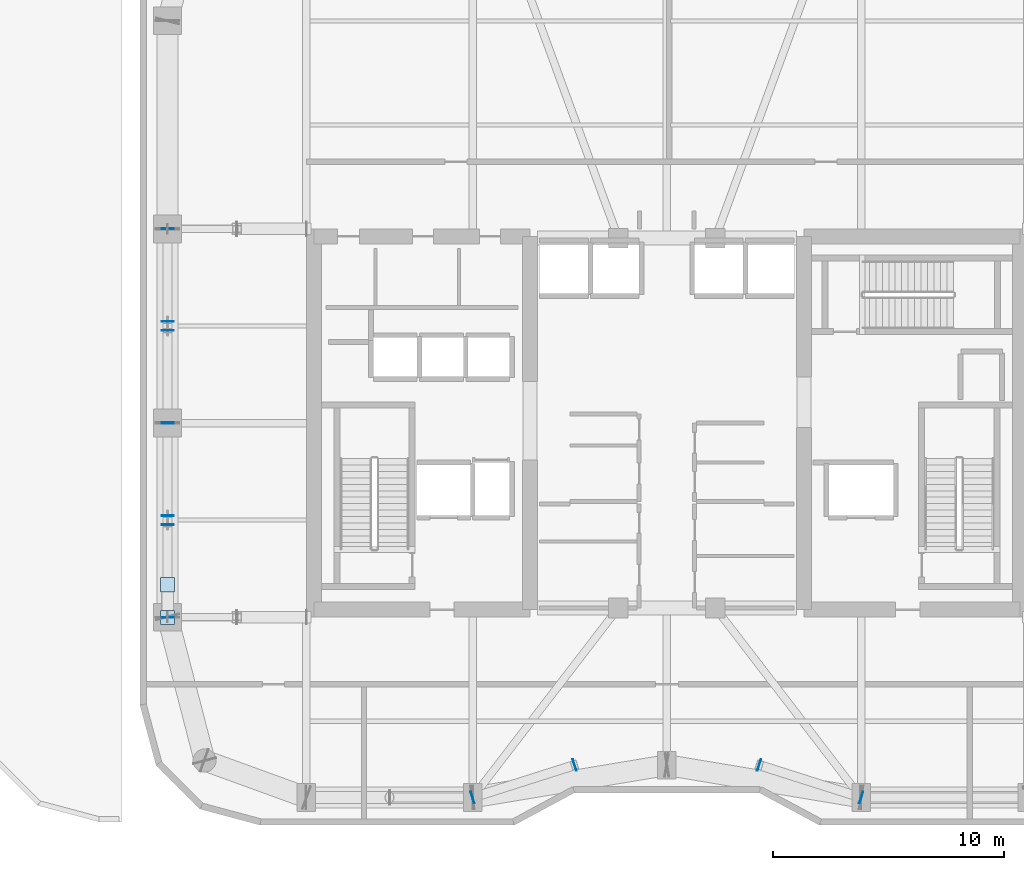
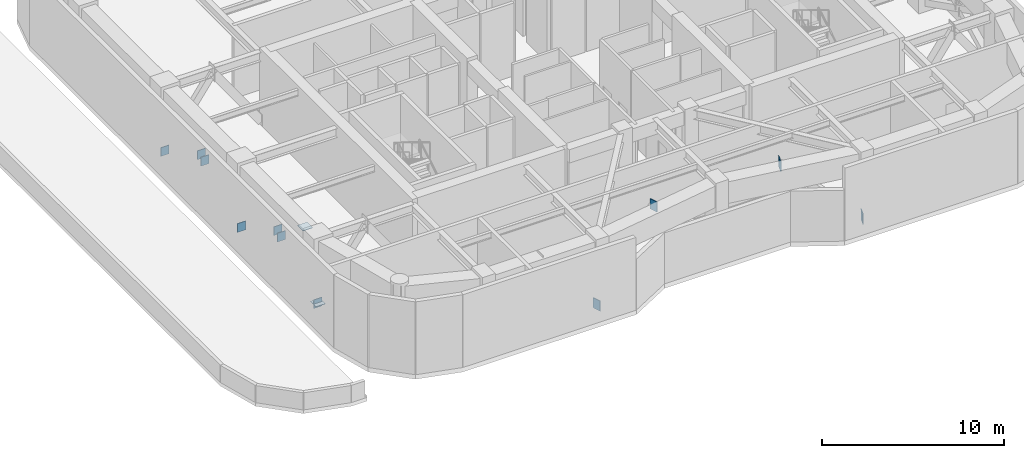
# One storey, part 9 of 16: 14 plates.
"""IFC4 building model written with IfcOpenShell, lengths in metres."""

from ifc_helpers import new_model, si_unit, direction, frame, origin, origin_2d, place, context, subcontext, project, spatial, rectangle, extrude, material, layer, layer_set, type_object, element, save


model = new_model("IFC4")

# Units and contexts
model_context = context("Model", 3, precision=1e-05, world=origin(), true_north=direction((0.0, 1.0)))
body_context = subcontext(model_context, "Body", "Model", "MODEL_VIEW")
ifc_project = project(units=[si_unit("LENGTHUNIT", "METRE"), si_unit("AREAUNIT", "SQUARE_METRE"), si_unit("VOLUMEUNIT", "CUBIC_METRE"), si_unit("PLANEANGLEUNIT", "RADIAN"), si_unit("MASSUNIT", "GRAM", prefix="KILO")], contexts=[model_context])

# Site, building, storey
site_placement = place(None, origin())
site = spatial("IfcSite", under=ifc_project, at=site_placement, CompositionType="ELEMENT")
building_placement = place(site_placement, origin())
building = spatial("IfcBuilding", under=site, at=building_placement, Name="Kiyonajd Concourse Tower", CompositionType="ELEMENT")
storey_placement = place(building_placement, frame((0.0, 0.0, 209.699951171875)))
storey = spatial("IfcBuildingStorey", under=building, at=storey_placement, Name="L53", CompositionType="ELEMENT", Elevation=209.699951171875)

# Plates
ifc_material = material(Name="Steel ASTM A572 Grade 50", Category="steel")
ifc_layer_1 = layer(ifc_material, 0.028076171875)
ifc_layer_set_1 = layer_set([ifc_layer_1], Name="Steel ASTM A572 Grade 50")
plate_type_1 = type_object("IfcPlateType", Name="PL-CAP-450", PredefinedType="USERDEFINED", material=ifc_layer_set_1)
for number, where, z_axis, x_axis, name in (
    (1, (26.39990234375, 27.596435546875, 0.275390625), (0.0, 0.0, 1.0), (1.0, 0.0, 0.0), "L53 Hollow Brace End Cap Plate PBW"),
    (2, (26.39990234375, 29.00341796875, 4.5263671875), (0.0, 0.0, 1.0), (1.0, 0.0, 0.0), "L53 Hollow Brace Top Cap Plate PBW"),
):
    element("IfcPlate", number, at=place(storey_placement, frame(where, z_axis=z_axis, x_axis=x_axis)), inside=storey, type_object=plate_type_1, Name=name, ObjectType="CAP PLATE", PredefinedType="USERDEFINED", context=body_context, shape_type="SweptSolid", body=[
        extrude(rectangle(XDim=0.60791015625, YDim=0.60791015625, at=origin_2d()), origin(), (0.0, 0.0, 1.0), 0.028076171875),
    ])
ifc_layer_2 = layer(ifc_material, 0.031982421875)
ifc_layer_set_2 = layer_set([ifc_layer_2], Name="Steel ASTM A572 Grade 50")
plate_type_2 = type_object("IfcPlateType", Name="PL-CAP-540", PredefinedType="USERDEFINED", material=ifc_layer_set_2)
for number, where, z_axis, x_axis, name in (
    (3, (39.59228515625, 19.797607421875, -0.04833984375), (0.0, 0.0, 1.0), (-0.952926437371, -0.303201591289, 0.0), "L53 Outrigger End Cap Plate 10"),
    (4, (44.0078125, 21.202392578125, 4.1962890625), (0.0, 0.0, 1.0), (0.952926437371, 0.303201591289, 0.0), "L53 Outrigger Far End Cap Plate 10"),
    (5, (51.9921875, 21.202392578125, 4.1962890625), (0.0, 0.0, 1.0), (-0.952926437371, 0.303201591289, 0.0), "L53 Outrigger End Cap Plate 11"),
    (6, (56.40771484375, 19.797607421875, -0.04833984375), (0.0, 0.0, 1.0), (0.952926437371, -0.303201591289, 0.0), "L53 Outrigger Far End Cap Plate 11"),
):
    element("IfcPlate", number, at=place(storey_placement, frame(where, z_axis=z_axis, x_axis=x_axis)), inside=storey, type_object=plate_type_2, Name=name, ObjectType="CAP PLATE", PredefinedType="USERDEFINED", context=body_context, shape_type="SweptSolid", body=[
        extrude(rectangle(XDim=0.035888671875, YDim=0.52001953125, at=origin_2d()), origin(), (0.0, 0.0, 1.0), 0.681884765625),
    ])
for number, where, z_axis, x_axis, name in (
    (7, (26.39990234375, 36.009765625, 0.001220703125), (0.0, 0.0, 1.0), (0.0, 1.0, 0.0), "L53 X Brace Far End Cap W1"),
    (8, (26.39990234375, 27.590087890625, 0.001220703125), (0.0, 0.0, 1.0), (0.0, -1.0, 0.0), "L53 Split X Brace Outer Cap W1"),
    (9, (26.39990234375, 31.6044921875, 2.022705078125), (0.0, 0.0, 1.0), (0.0, 1.0, 0.0), "L53 Split X Brace Node Collar W1"),
    (10, (26.39990234375, 31.99560546875, 2.219482421875), (0.0, 0.0, 1.0), (0.0, -1.0, 0.0), "L53 Split X Brace Node Collar W1"),
    (11, (26.39990234375, 44.409912109375, 0.001220703125), (0.0, 0.0, 1.0), (0.0, 1.0, 0.0), "L53 X Brace Far End Cap W2"),
    (12, (26.39990234375, 35.990234375, 0.001220703125), (0.0, 0.0, 1.0), (0.0, -1.0, 0.0), "L53 Split X Brace Outer Cap W2"),
    (13, (26.39990234375, 40.00439453125, 2.022705078125), (0.0, 0.0, 1.0), (0.0, 1.0, 0.0), "L53 Split X Brace Node Collar W2"),
    (14, (26.39990234375, 40.3955078125, 2.219482421875), (0.0, 0.0, 1.0), (0.0, -1.0, 0.0), "L53 Split X Brace Node Collar W2"),
):
    element("IfcPlate", number, at=place(storey_placement, frame(where, z_axis=z_axis, x_axis=x_axis)), inside=storey, type_object=plate_type_2, Name=name, ObjectType="CAP PLATE", PredefinedType="USERDEFINED", context=body_context, shape_type="SweptSolid", body=[
        extrude(rectangle(XDim=0.035888671875, YDim=0.52001953125, at=origin_2d()), origin(), (0.0, 0.0, 1.0), 0.587890625),
    ])

save(model, "model.ifc")
